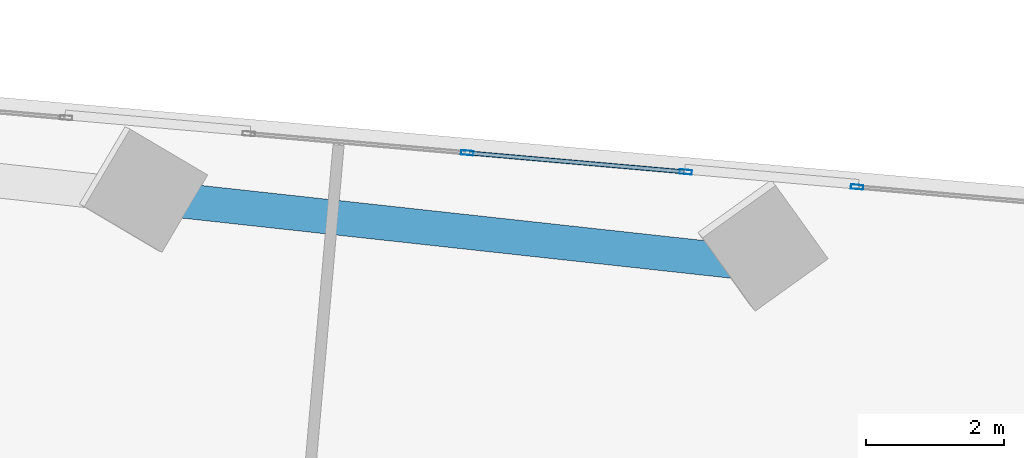
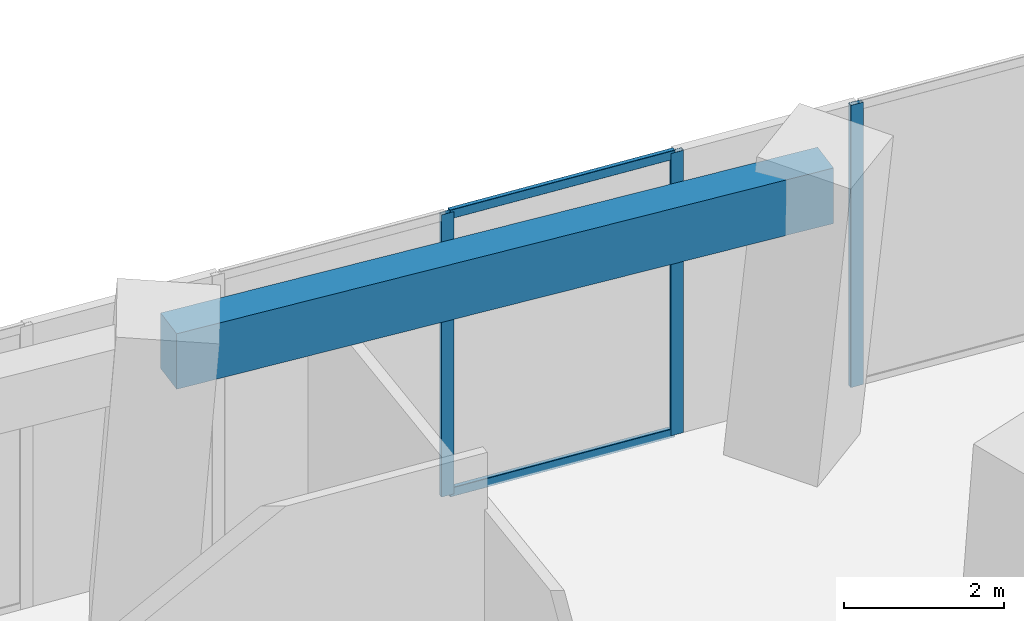
# One storey, part 17 of 24: 5 members, 1 beam, 2 elements without a shape of their own.
"""IFC4 building model written with IfcOpenShell, lengths in metres."""

from ifc_helpers import new_model, si_unit, direction, frame, origin, origin_2d, place, context, subcontext, project, spatial, rectangle, hollow_rectangle, extrude, source, transform, mapped, material, material_profile, profile_set, type_object, element, aggregate, save


model = new_model("IFC4")

# Units and contexts
model_context = context("Model", 3, precision=1e-05, world=origin(), true_north=direction((0.0, 1.0)))
body_context = subcontext(model_context, "Body", "Model", "MODEL_VIEW")
ifc_project = project(units=[si_unit("LENGTHUNIT", "METRE"), si_unit("AREAUNIT", "SQUARE_METRE"), si_unit("VOLUMEUNIT", "CUBIC_METRE"), si_unit("PLANEANGLEUNIT", "RADIAN"), si_unit("MASSUNIT", "GRAM", prefix="KILO")], contexts=[model_context])

# Site, building, storey
site_placement = place(None, origin())
site = spatial("IfcSite", under=ifc_project, at=site_placement, CompositionType="ELEMENT")
building_placement = place(site_placement, origin())
building = spatial("IfcBuilding", under=site, at=building_placement, Name="Torre Montelarca", CompositionType="ELEMENT")
storey_placement = place(building_placement, frame((0.0, 0.0, 52.0)))
storey = spatial("IfcBuildingStorey", under=building, at=storey_placement, Name="L11", CompositionType="ELEMENT", Elevation=52.0)

# Beam
ifc_material_1 = material(Name="Concrete C55/67", Category="concrete")
ifc_material_profile_1 = material_profile(ifc_material_1, rectangle(XDim=0.5, YDim=0.85009765625, at=origin_2d()), Name="RCB500X850", Category="concrete")
ifc_profile_set_1 = profile_set([ifc_material_profile_1], Name="Concrete C55/67")
beam_type = type_object("IfcBeamType", Name="BM-SP-RC850-EXT", PredefinedType="SPANDREL", material=ifc_profile_set_1)
shared_shape_1 = source(origin(), body_context, "Body", "SweptSolid", [
    extrude(rectangle(XDim=0.5, YDim=0.85009765625, at=origin_2d()), origin(), (0.0, 0.0, 1.0), 9.0),
])
beam_placement = place(storey_placement, frame((28.61669921875, 46.461181640625, 4.135009765625), z_axis=(0.994057160788, -0.108859363794, 0.0), x_axis=(0.108859363794, 0.994057160788, 0.0)))
element("IfcBeam", 1, at=beam_placement, inside=storey, type_object=beam_type, Name="L11 Grid Girder X 27.0-36.0 at Y=47.1", PredefinedType="SPANDREL", context=body_context, shape_type="MappedRepresentation", body=[
    mapped(shared_shape_1, transform((0.0, 0.0, 0.0), scale=1.0)),
])

# Curtain wall, member
ifc_material_2 = material(Name="Insulated low-E laminated glass", Category="glass")
curtain_wall_type = type_object("IfcCurtainWallType", Name="CW-SYS-Z1", PredefinedType="USERDEFINED", material=ifc_material_2)
curtain_wall_1_placement = place(storey_placement, origin())
curtain_wall_1 = element("IfcCurtainWall", 2, at=curtain_wall_1_placement, inside=storey, type_object=curtain_wall_type, Name="L11 Curtain Wall Run CW-T3-L11-E08-B1", ObjectType="UNITISED GLAZING", PredefinedType="USERDEFINED")
ifc_material_3 = material(Name="Anodised aluminium AA 6063-T6", Category="aluminium")
ifc_material_profile_2 = material_profile(ifc_material_3, hollow_rectangle(XDim=0.06494140625, YDim=0.179931640625, WallThickness=0.00390625, InnerFilletRadius=0.00390625, OuterFilletRadius=0.008056640625, at=origin_2d()), Name="ALU65X180X4", Category="aluminium")
ifc_profile_set_2 = profile_set([ifc_material_profile_2], Name="Anodised aluminium AA 6063-T6")
member_type_1 = type_object("IfcMemberType", Name="CWM-ALU180", PredefinedType="MULLION", material=ifc_profile_set_2)
shared_shape_2 = source(origin(), body_context, "Body", "SweptSolid", [
    extrude(hollow_rectangle(XDim=0.06494140625, YDim=0.179931640625, WallThickness=0.00390625, InnerFilletRadius=0.00390625, OuterFilletRadius=0.008056640625, at=origin_2d()), origin(), (0.0, 0.0, 1.0), 4.320068359375),
])
member_1_placement = place(storey_placement, frame((38.666259765625, 46.62939453125, 0.0), z_axis=(0.0, 0.0, 1.0), x_axis=(-0.087156798635, -0.996194605713, 0.0)))
member_1 = element("IfcMember", 3, at=member_1_placement, type_object=member_type_1, Name="CW mullion 3", PredefinedType="MULLION", context=body_context, shape_type="MappedRepresentation", body=[
    mapped(shared_shape_2, transform((0.0, 0.0, 0.0), scale=1.0)),
])
aggregate(curtain_wall_1, [member_1])

# Curtain wall, members
curtain_wall_2_placement = place(storey_placement, origin())
curtain_wall_2 = element("IfcCurtainWall", 4, at=curtain_wall_2_placement, inside=storey, type_object=curtain_wall_type, Name="L11 Curtain Wall Run CW-T3-L11-E08-B2", ObjectType="UNITISED GLAZING", PredefinedType="USERDEFINED")
member_2_placement = place(storey_placement, frame((36.187255859375, 46.846435546875, 0.0), z_axis=(0.0, 0.0, 1.0), x_axis=(-0.087149922072, -0.996195207318, 0.0)))
member_2 = element("IfcMember", 5, at=member_2_placement, type_object=member_type_1, Name="CW mullion 1", PredefinedType="MULLION", context=body_context, shape_type="MappedRepresentation", body=[
    mapped(shared_shape_2, transform((0.0, 0.0, 0.0), scale=1.0)),
])
member_3_placement = place(storey_placement, frame((33.026611328125, 47.123046875, 0.0), z_axis=(0.0, 0.0, 1.0), x_axis=(-0.087149922072, -0.996195207318, 0.0)))
member_3 = element("IfcMember", 6, at=member_3_placement, type_object=member_type_1, Name="CW mullion 2", PredefinedType="MULLION", context=body_context, shape_type="MappedRepresentation", body=[
    mapped(shared_shape_2, transform((0.0, 0.0, 0.0), scale=1.0)),
])
ifc_material_profile_3 = material_profile(ifc_material_3, hollow_rectangle(XDim=0.06494140625, YDim=0.139892578125, WallThickness=0.00390625, InnerFilletRadius=0.00390625, OuterFilletRadius=0.008056640625, at=origin_2d()), Name="ALU65X140X4", Category="aluminium")
ifc_profile_set_3 = profile_set([ifc_material_profile_3], Name="Anodised aluminium AA 6063-T6")
member_type_2 = type_object("IfcMemberType", Name="CWT-ALU140", PredefinedType="USERDEFINED", material=ifc_profile_set_3)
shared_shape_3 = source(origin(), body_context, "Body", "SweptSolid", [
    extrude(hollow_rectangle(XDim=0.06494140625, YDim=0.139892578125, WallThickness=0.00390625, InnerFilletRadius=0.00390625, OuterFilletRadius=0.008056640625, at=origin_2d()), origin(), (0.0, 0.0, 1.0), 3.10791015625),
])
member_4_placement = place(storey_placement, frame((36.155029296875, 46.849365234375, 0.032470703125), z_axis=(-0.996198320341, 0.087114330331, 0.0), x_axis=(-0.087114330331, -0.996198320341, 0.0)))
member_4 = element("IfcMember", 7, at=member_4_placement, type_object=member_type_2, Name="CW transom 1.1", ObjectType="TRANSOM", PredefinedType="USERDEFINED", context=body_context, shape_type="MappedRepresentation", body=[
    mapped(shared_shape_3, transform((0.0, 0.0, 0.0), scale=1.0)),
])
member_5_placement = place(storey_placement, frame((36.155029296875, 46.849365234375, 4.28759765625), z_axis=(-0.996198320341, 0.087114330331, 0.0), x_axis=(-0.087114330331, -0.996198320341, 0.0)))
member_5 = element("IfcMember", 8, at=member_5_placement, type_object=member_type_2, Name="CW transom 1.2", ObjectType="TRANSOM", PredefinedType="USERDEFINED", context=body_context, shape_type="MappedRepresentation", body=[
    mapped(shared_shape_3, transform((0.0, 0.0, 0.0), scale=1.0)),
])
aggregate(curtain_wall_2, [member_2, member_3, member_4, member_5])

save(model, "model.ifc")
